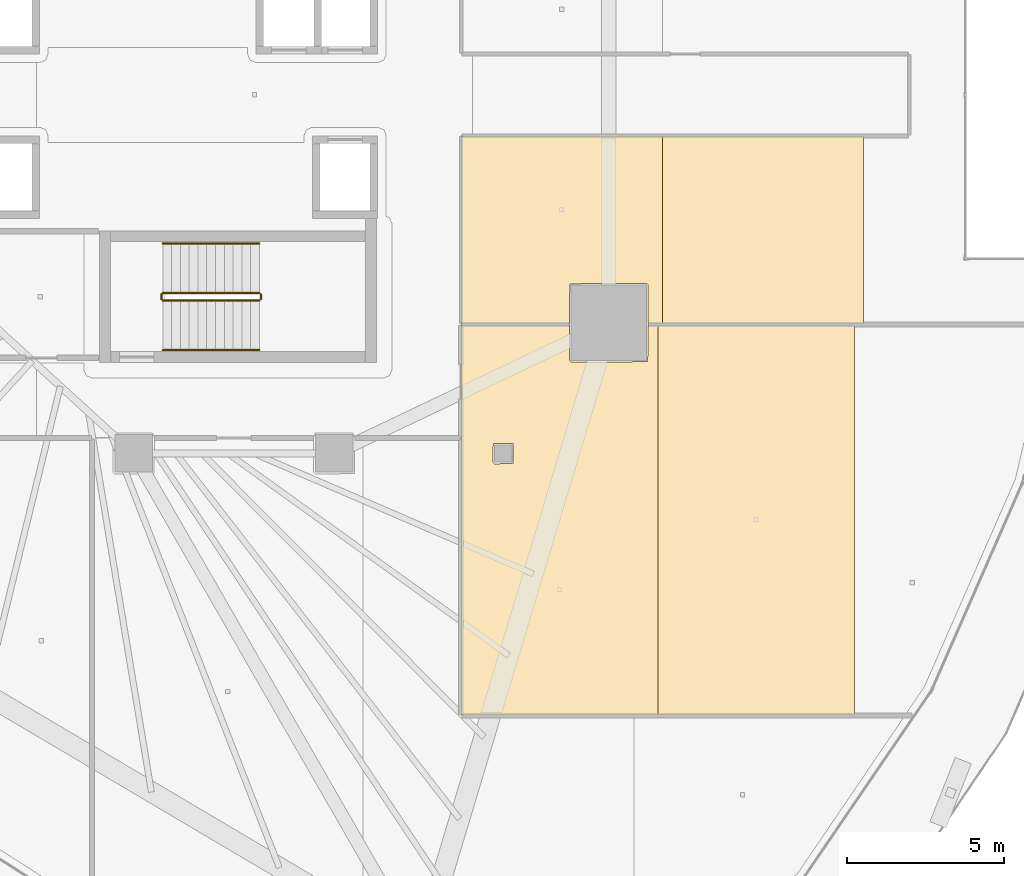
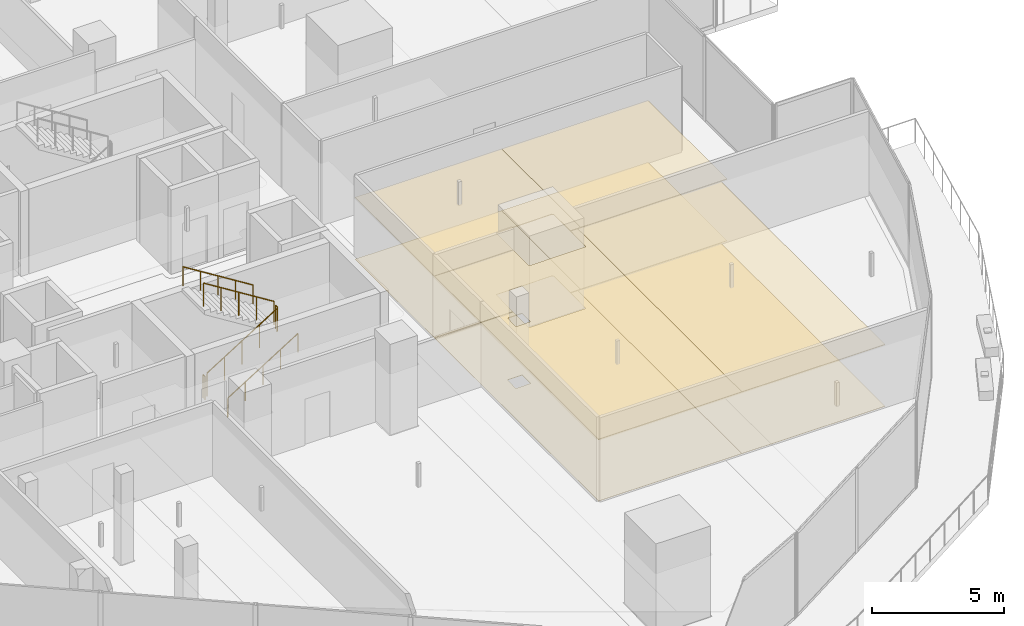
# One storey, part 40 of 45: 8 coverings, 6 railings.
"""IFC4 building model written with IfcOpenShell, lengths in metres."""

from ifc_helpers import new_model, si_unit, direction, frame, origin, origin_2d, place, context, subcontext, project, spatial, polyline, circle, outline, extrude, material, layer, layer_set, type_object, element, save


model = new_model("IFC4")

# Units and contexts
model_context = context("Model", 3, precision=1e-05, world=origin(), true_north=direction((0.0, 1.0)))
body_context = subcontext(model_context, "Body", "Model", "MODEL_VIEW")
ifc_project = project(units=[si_unit("LENGTHUNIT", "METRE"), si_unit("AREAUNIT", "SQUARE_METRE"), si_unit("VOLUMEUNIT", "CUBIC_METRE"), si_unit("PLANEANGLEUNIT", "RADIAN"), si_unit("MASSUNIT", "GRAM", prefix="KILO")], contexts=[model_context])

# Site, building, storey
site_placement = place(None, origin())
site = spatial("IfcSite", under=ifc_project, at=site_placement, CompositionType="ELEMENT")
building_placement = place(site_placement, origin())
building = spatial("IfcBuilding", under=site, at=building_placement, Name="Qorvath Tower", CompositionType="ELEMENT")
storey_placement = place(building_placement, frame((0.0, 0.0, 66.0)))
storey = spatial("IfcBuildingStorey", under=building, at=storey_placement, Name="L14", CompositionType="ELEMENT", Elevation=66.0)

# Coverings
ifc_material_1 = material(Name="Acoustic mineral fibre ceiling tile", Category="gypsum")
ifc_layer_1 = layer(ifc_material_1, 0.030029296875)
ifc_layer_set_1 = layer_set([ifc_layer_1], Name="COV-CEIL")
covering_type_1 = type_object("IfcCoveringType", Name="COV-CEIL", PredefinedType="CEILING", material=ifc_layer_set_1)
covering_1_placement = place(storey_placement, frame((0.0, 0.0, 2.85009765625)))
element("IfcCovering", 1, at=covering_1_placement, inside=storey, type_object=covering_type_1, Name="L14 Suspended Acoustic Ceiling 027", PredefinedType="CEILING", context=body_context, shape_type="SweptSolid", body=[
    extrude(outline(polyline([(-13.136962890625, -19.803466796875), (-6.8603515625, -19.806640625), (-6.8603515625, -7.3408203125), (-7.17041015625, -7.3408203125), (-7.18798828125, -8.518798828125), (-9.63037109375, -8.536376953125), (-9.690185546875, -8.476318359375), (-9.690185546875, -7.3408203125), (-13.136962890625, -7.3408203125), (-13.136962890625, -19.803466796875)]), holes=[polyline([(-12.135009765625, -11.72509765625), (-12.117431640625, -11.132568359375), (-11.482666015625, -11.132568359375), (-11.482666015625, -11.767333984375), (-12.074951171875, -11.784912109375), (-12.135009765625, -11.72509765625)])]), origin(), (0.0, 0.0, 1.0), 0.030029296875),
])
covering_2_placement = place(storey_placement, frame((0.0, 0.0, 2.85009765625)))
element("IfcCovering", 2, at=covering_2_placement, inside=storey, type_object=covering_type_1, Name="L14 Suspended Acoustic Ceiling 028", PredefinedType="CEILING", context=body_context, shape_type="SweptSolid", body=[
    extrude(outline(polyline([(-6.8603515625, -7.3408203125), (-6.8603515625, -19.806640625), (-0.58349609375, -19.81005859375), (-0.58349609375, -7.3408203125), (-6.8603515625, -7.3408203125)])), origin(), (0.0, 0.0, 1.0), 0.030029296875),
])
covering_3_placement = place(storey_placement, frame((0.0, 0.0, 2.85009765625)))
element("IfcCovering", 3, at=covering_3_placement, inside=storey, type_object=covering_type_1, Name="L14 Suspended Acoustic Ceiling 030", PredefinedType="CEILING", context=body_context, shape_type="SweptSolid", body=[
    extrude(outline(polyline([(-6.71728515625, -7.32275390625), (-6.71728515625, -1.310791015625), (-13.136962890625, -1.31298828125), (-13.136962890625, -7.32275390625), (-9.690185546875, -7.32275390625), (-9.672607421875, -6.033935546875), (-7.230224609375, -6.016357421875), (-7.17041015625, -6.076416015625), (-7.17041015625, -7.32275390625), (-6.71728515625, -7.32275390625)])), origin(), (0.0, 0.0, 1.0), 0.030029296875),
])
covering_4_placement = place(storey_placement, frame((0.0, 0.0, 2.85009765625)))
element("IfcCovering", 4, at=covering_4_placement, inside=storey, type_object=covering_type_1, Name="L14 Suspended Acoustic Ceiling 032", PredefinedType="CEILING", context=body_context, shape_type="SweptSolid", body=[
    extrude(outline(polyline([(-0.2978515625, -7.32275390625), (-0.2978515625, -1.30859375), (-6.71728515625, -1.310791015625), (-6.71728515625, -7.32275390625), (-0.2978515625, -7.32275390625)])), origin(), (0.0, 0.0, 1.0), 0.030029296875),
])
ifc_material_2 = material(Name="Low-VOC modular carpet tile", Category="textile")
ifc_layer_2 = layer(ifc_material_2, 0.014892578125)
ifc_layer_set_2 = layer_set([ifc_layer_2], Name="COV-FLOOR-CPT")
covering_type_2 = type_object("IfcCoveringType", Name="COV-FLOOR-CPT", PredefinedType="FLOORING", material=ifc_layer_set_2)
covering_5_placement = place(storey_placement, origin())
element("IfcCovering", 5, at=covering_5_placement, inside=storey, type_object=covering_type_2, Name="L14 Floor Finish 027", PredefinedType="FLOORING", context=body_context, shape_type="SweptSolid", body=[
    extrude(outline(polyline([(-13.136962890625, -19.803466796875), (-6.8603515625, -19.806640625), (-6.8603515625, -7.3408203125), (-7.17041015625, -7.3408203125), (-7.18798828125, -8.518798828125), (-9.63037109375, -8.536376953125), (-9.690185546875, -8.476318359375), (-9.690185546875, -7.3408203125), (-13.136962890625, -7.3408203125), (-13.136962890625, -19.803466796875)]), holes=[polyline([(-12.135009765625, -11.72509765625), (-12.117431640625, -11.132568359375), (-11.482666015625, -11.132568359375), (-11.482666015625, -11.767333984375), (-12.074951171875, -11.784912109375), (-12.135009765625, -11.72509765625)])]), origin(), (0.0, 0.0, 1.0), 0.014892578125),
])
covering_6_placement = place(storey_placement, origin())
element("IfcCovering", 6, at=covering_6_placement, inside=storey, type_object=covering_type_2, Name="L14 Floor Finish 028", PredefinedType="FLOORING", context=body_context, shape_type="SweptSolid", body=[
    extrude(outline(polyline([(-6.8603515625, -7.3408203125), (-6.8603515625, -19.806640625), (-0.58349609375, -19.81005859375), (-0.58349609375, -7.3408203125), (-6.8603515625, -7.3408203125)])), origin(), (0.0, 0.0, 1.0), 0.014892578125),
])
covering_7_placement = place(storey_placement, origin())
element("IfcCovering", 7, at=covering_7_placement, inside=storey, type_object=covering_type_2, Name="L14 Floor Finish 030", PredefinedType="FLOORING", context=body_context, shape_type="SweptSolid", body=[
    extrude(outline(polyline([(-6.71728515625, -7.32275390625), (-6.71728515625, -1.310791015625), (-13.136962890625, -1.31298828125), (-13.136962890625, -7.32275390625), (-9.690185546875, -7.32275390625), (-9.672607421875, -6.033935546875), (-7.230224609375, -6.016357421875), (-7.17041015625, -6.076416015625), (-7.17041015625, -7.32275390625), (-6.71728515625, -7.32275390625)])), origin(), (0.0, 0.0, 1.0), 0.014892578125),
])
covering_8_placement = place(storey_placement, origin())
element("IfcCovering", 8, at=covering_8_placement, inside=storey, type_object=covering_type_2, Name="L14 Floor Finish 032", PredefinedType="FLOORING", context=body_context, shape_type="SweptSolid", body=[
    extrude(outline(polyline([(-0.2978515625, -7.32275390625), (-0.2978515625, -1.30859375), (-6.71728515625, -1.310791015625), (-6.71728515625, -7.32275390625), (-0.2978515625, -7.32275390625)])), origin(), (0.0, 0.0, 1.0), 0.014892578125),
])

# Railings
ifc_material_3 = material(Name="Painted galvanised steel", Category="steel")
railing_type_1 = type_object("IfcRailingType", Name="RL-STR-GRD", PredefinedType="GUARDRAIL", material=ifc_material_3)
railing_1_placement = place(storey_placement, frame((-22.669921875, -6.570068359375, 0.175048828125)))
element("IfcRailing", 9, at=railing_1_placement, inside=storey, type_object=railing_type_1, Name="L14 TS2 stair guard 1", PredefinedType="GUARDRAIL", context=body_context, shape_type="SweptSolid", body=[
    extrude(circle(Radius=0.02392578125, at=origin_2d()), frame((0.0, 0.0, 1.076171875), z_axis=(0.847979421464, 0.0, 0.530029150871), x_axis=(0.0, 1.0, 0.0)), (0.0, 0.0, 1.0), 3.632080078125),
    extrude(circle(Radius=0.02099609375, at=origin_2d()), origin(), (0.0, 0.0, 1.0), 1.052001953125),
    extrude(circle(Radius=0.02099609375, at=origin_2d()), frame((0.77001953125, 0.0, 0.481201171875)), (0.0, 0.0, 1.0), 1.052001953125),
    extrude(circle(Radius=0.02099609375, at=origin_2d()), frame((1.5400390625, 0.0, 0.96240234375)), (0.0, 0.0, 1.0), 1.052001953125),
    extrude(circle(Radius=0.02099609375, at=origin_2d()), frame((2.309814453125, 0.0, 1.44384765625)), (0.0, 0.0, 1.0), 1.052001953125),
    extrude(circle(Radius=0.02099609375, at=origin_2d()), frame((3.079833984375, 0.0, 1.925048828125)), (0.0, 0.0, 1.0), 1.052001953125),
])
railing_2_placement = place(storey_placement, frame((-19.5400390625, -6.52001953125, 2.10009765625)))
element("IfcRailing", 10, at=railing_2_placement, inside=storey, type_object=railing_type_1, Name="L14 TS2 stair guard 2", PredefinedType="GUARDRAIL", context=body_context, shape_type="SweptSolid", body=[
    extrude(circle(Radius=0.02392578125, at=origin_2d()), frame((0.0, 0.0, 1.076171875), z_axis=(0.0, 1.0, 0.0), x_axis=(-1.0, 0.0, 0.0)), (0.0, 0.0, 1.0), 0.14990234375),
    extrude(circle(Radius=0.02099609375, at=origin_2d()), origin(), (0.0, 0.0, 1.0), 1.052001953125),
    extrude(circle(Radius=0.02099609375, at=origin_2d()), frame((0.0, 0.14990234375, 0.0)), (0.0, 0.0, 1.0), 1.052001953125),
])
railing_3_placement = place(storey_placement, frame((-19.590087890625, -6.320068359375, 2.27490234375)))
element("IfcRailing", 11, at=railing_3_placement, inside=storey, type_object=railing_type_1, Name="L14 TS2 stair guard 3", PredefinedType="GUARDRAIL", context=body_context, shape_type="SweptSolid", body=[
    extrude(circle(Radius=0.02392578125, at=origin_2d()), frame((0.0, 0.0, 1.076171875), z_axis=(-0.847979421464, 0.0, 0.530029150871), x_axis=(0.0, -1.0, 0.0)), (0.0, 0.0, 1.0), 3.632080078125),
    extrude(circle(Radius=0.02099609375, at=origin_2d()), origin(), (0.0, 0.0, 1.0), 1.052001953125),
    extrude(circle(Radius=0.02099609375, at=origin_2d()), frame((-0.77001953125, 0.0, 0.481201171875)), (0.0, 0.0, 1.0), 1.052001953125),
    extrude(circle(Radius=0.02099609375, at=origin_2d()), frame((-1.5400390625, 0.0, 0.96240234375)), (0.0, 0.0, 1.0), 1.052001953125),
    extrude(circle(Radius=0.02099609375, at=origin_2d()), frame((-2.309814453125, 0.0, 1.44384765625)), (0.0, 0.0, 1.0), 1.052001953125),
    extrude(circle(Radius=0.02099609375, at=origin_2d()), frame((-3.079833984375, 0.0, 1.925048828125)), (0.0, 0.0, 1.0), 1.052001953125),
])
railing_4_placement = place(storey_placement, frame((-22.719970703125, -6.52001953125, 0.0)))
element("IfcRailing", 12, at=railing_4_placement, inside=storey, type_object=railing_type_1, Name="L14 TS2 stair guard 4", PredefinedType="GUARDRAIL", context=body_context, shape_type="SweptSolid", body=[
    extrude(circle(Radius=0.02392578125, at=origin_2d()), frame((0.0, 0.0, 1.076171875), z_axis=(0.0, 1.0, 0.0), x_axis=(-1.0, 0.0, 0.0)), (0.0, 0.0, 1.0), 0.14990234375),
    extrude(circle(Radius=0.02099609375, at=origin_2d()), origin(), (0.0, 0.0, 1.0), 1.052001953125),
    extrude(circle(Radius=0.02099609375, at=origin_2d()), frame((0.0, 0.14990234375, 0.0)), (0.0, 0.0, 1.0), 1.052001953125),
])
ifc_material_4 = material(Name="Brushed stainless steel AISI 304", Category="steel")
railing_type_2 = type_object("IfcRailingType", Name="RL-STR-HND", PredefinedType="HANDRAIL", material=ifc_material_4)
railing_5_placement = place(storey_placement, frame((-22.669921875, -8.14990234375, 0.175048828125)))
element("IfcRailing", 13, at=railing_5_placement, inside=storey, type_object=railing_type_2, Name="L14 TS2 stair handrail 1", PredefinedType="HANDRAIL", context=body_context, shape_type="SweptSolid", body=[
    extrude(circle(Radius=0.02392578125, at=origin_2d()), frame((0.0, 0.0, 0.8759765625), z_axis=(0.847979421464, 0.0, 0.530029150871), x_axis=(0.0, 1.0, 0.0)), (0.0, 0.0, 1.0), 3.632080078125),
    extrude(circle(Radius=0.02099609375, at=origin_2d()), origin(), (0.0, 0.0, 1.0), 0.851806640625),
    extrude(circle(Radius=0.02099609375, at=origin_2d()), frame((0.77001953125, 0.0, 0.481201171875)), (0.0, 0.0, 1.0), 0.851806640625),
    extrude(circle(Radius=0.02099609375, at=origin_2d()), frame((1.5400390625, 0.0, 0.96240234375)), (0.0, 0.0, 1.0), 0.851806640625),
    extrude(circle(Radius=0.02099609375, at=origin_2d()), frame((2.309814453125, 0.0, 1.44384765625)), (0.0, 0.0, 1.0), 0.851806640625),
    extrude(circle(Radius=0.02099609375, at=origin_2d()), frame((3.079833984375, 0.0, 1.925048828125)), (0.0, 0.0, 1.0), 0.851806640625),
])
railing_6_placement = place(storey_placement, frame((-19.590087890625, -4.739990234375, 2.27490234375)))
element("IfcRailing", 14, at=railing_6_placement, inside=storey, type_object=railing_type_2, Name="L14 TS2 stair handrail 2", PredefinedType="HANDRAIL", context=body_context, shape_type="SweptSolid", body=[
    extrude(circle(Radius=0.02392578125, at=origin_2d()), frame((0.0, 0.0, 0.8759765625), z_axis=(-0.847979421464, 0.0, 0.530029150871), x_axis=(0.0, -1.0, 0.0)), (0.0, 0.0, 1.0), 3.632080078125),
    extrude(circle(Radius=0.02099609375, at=origin_2d()), origin(), (0.0, 0.0, 1.0), 0.851806640625),
    extrude(circle(Radius=0.02099609375, at=origin_2d()), frame((-0.77001953125, 0.0, 0.481201171875)), (0.0, 0.0, 1.0), 0.851806640625),
    extrude(circle(Radius=0.02099609375, at=origin_2d()), frame((-1.5400390625, 0.0, 0.96240234375)), (0.0, 0.0, 1.0), 0.851806640625),
    extrude(circle(Radius=0.02099609375, at=origin_2d()), frame((-2.309814453125, 0.0, 1.44384765625)), (0.0, 0.0, 1.0), 0.851806640625),
    extrude(circle(Radius=0.02099609375, at=origin_2d()), frame((-3.079833984375, 0.0, 1.925048828125)), (0.0, 0.0, 1.0), 0.851806640625),
])

save(model, "model.ifc")
